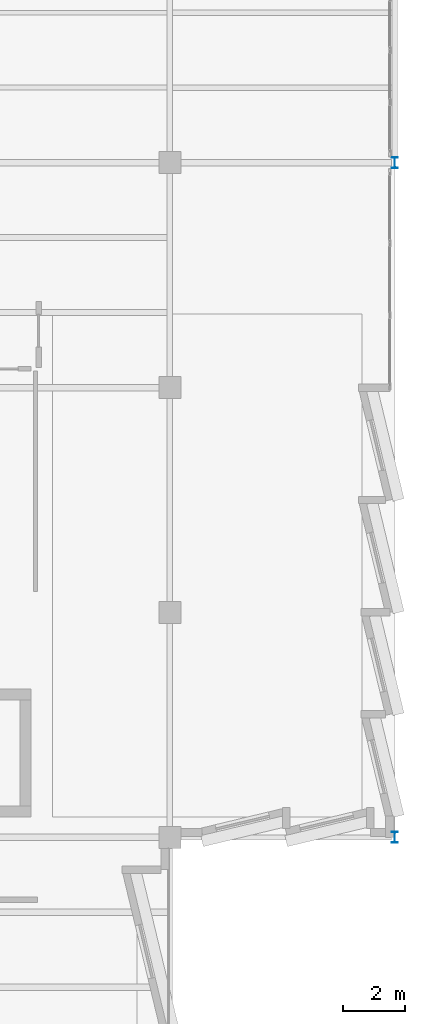
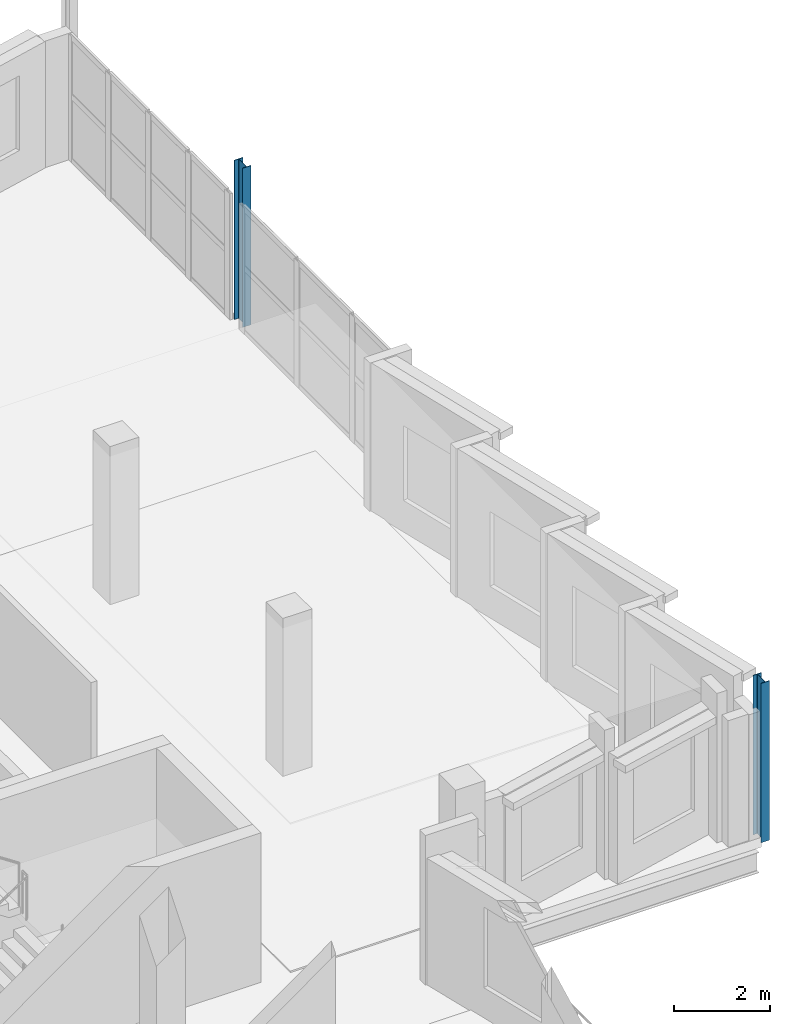
# One storey, part 2 of 33: 2 columns.
"""IFC4 building model written with IfcOpenShell, lengths in metres."""

from ifc_helpers import new_model, si_unit, direction, frame, origin, origin_2d, place, context, subcontext, project, spatial, i_section, extrude, material, material_profile, profile_set, type_object, element, save


model = new_model("IFC4")

# Units and contexts
model_context = context("Model", 3, precision=1e-05, world=origin(), true_north=direction((0.0, 1.0)))
body_context = subcontext(model_context, "Body", "Model", "MODEL_VIEW")
ifc_project = project(units=[si_unit("LENGTHUNIT", "METRE"), si_unit("AREAUNIT", "SQUARE_METRE"), si_unit("VOLUMEUNIT", "CUBIC_METRE"), si_unit("PLANEANGLEUNIT", "RADIAN"), si_unit("MASSUNIT", "GRAM", prefix="KILO")], contexts=[model_context])

# Site, building, storey
site_placement = place(None, origin())
site = spatial("IfcSite", under=ifc_project, at=site_placement, CompositionType="ELEMENT")
building_placement = place(site_placement, origin())
building = spatial("IfcBuilding", under=site, at=building_placement, Name="Kalmorath City Hall", CompositionType="ELEMENT")
storey_placement = place(building_placement, frame((0.0, 0.0, 22.949951171875)))
storey = spatial("IfcBuildingStorey", under=building, at=storey_placement, Name="L05", CompositionType="ELEMENT", Elevation=22.949951171875)

# Columns
ifc_material = material(Name="Steel ASTM A992 Grade 50", Category="steel")
ifc_material_profile = material_profile(ifc_material, i_section(OverallWidth=0.2041015625, OverallDepth=0.35009765625, WebThickness=0.008544921875, FlangeThickness=0.01513671875, FilletRadius=0.014892578125, at=origin_2d()), Name="W14X48")
ifc_profile_set = profile_set([ifc_material_profile], Name="Steel ASTM A992 Grade 50")
column_type = type_object("IfcColumnType", Name="Steel wide-flange column W14X48", PredefinedType="COLUMN", material=ifc_profile_set)
for number, where, z_axis, x_axis, name in (
    (1, (36.0, 7.199951171875, 0.0), (0.0, 0.0, 1.0), (1.0, 0.0, 0.0), "L05 column SC6 (6/2)"),
    (2, (36.0, 28.800048828125, 0.0), (0.0, 0.0, 1.0), (1.0, 0.0, 0.0), "L05 column SC6 (6/5)"),
):
    element("IfcColumn", number, at=place(storey_placement, frame(where, z_axis=z_axis, x_axis=x_axis)), inside=storey, type_object=column_type, Name=name, PredefinedType="COLUMN", context=body_context, shape_type="SweptSolid", body=[
        extrude(i_section(OverallWidth=0.2041015625, OverallDepth=0.35009765625, WebThickness=0.008544921875, FlangeThickness=0.01513671875, FilletRadius=0.014892578125, at=origin_2d()), origin(), (0.0, 0.0, 1.0), 4.050048828125),
    ])

save(model, "model.ifc")
